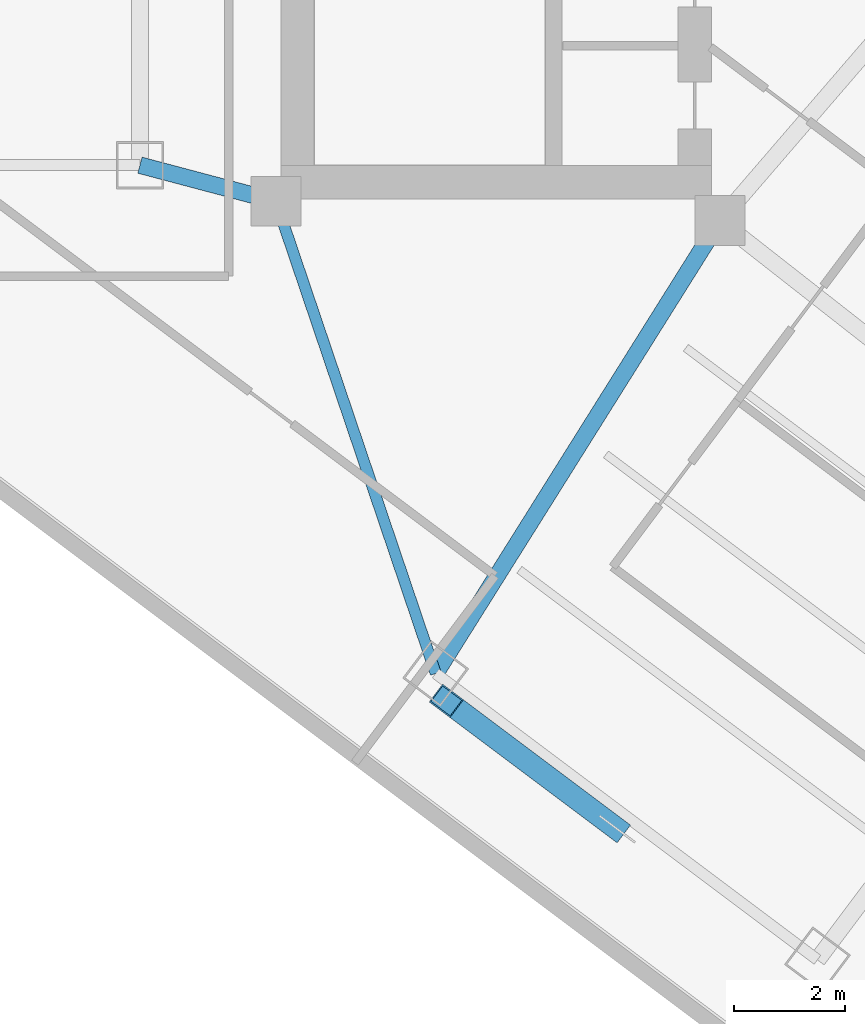
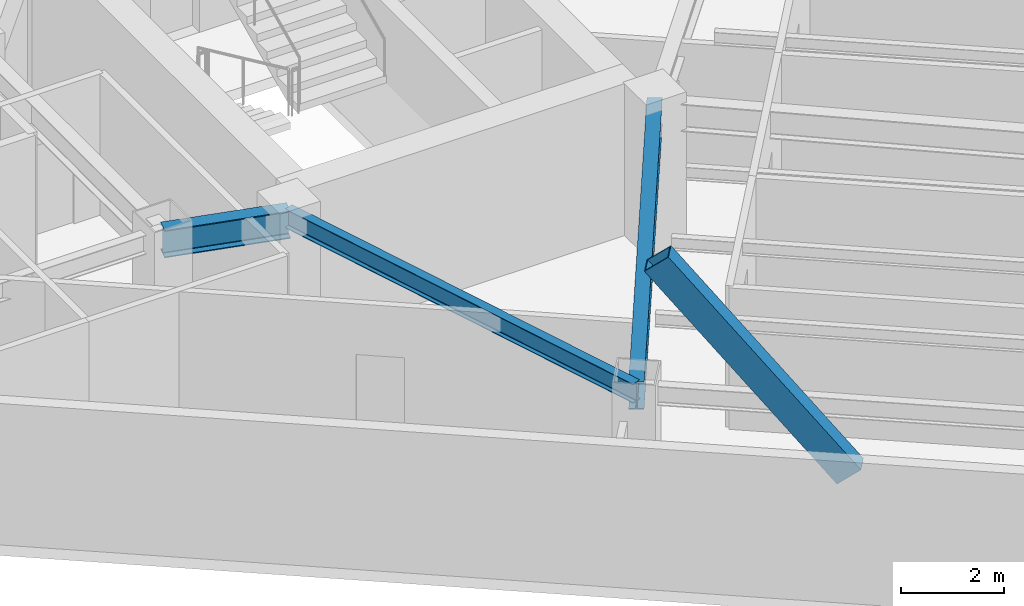
# One storey, part 3 of 29: 3 beams, 1 member.
"""IFC4 building model written with IfcOpenShell, lengths in metres."""

from ifc_helpers import new_model, si_unit, direction, frame, origin, origin_2d, place, context, subcontext, project, spatial, hollow_rectangle, i_section, extrude, material, material_profile, profile_set, type_object, element, save


model = new_model("IFC4")

# Units and contexts
model_context = context("Model", 3, precision=1e-05, world=origin(), true_north=direction((0.0, 1.0)))
body_context = subcontext(model_context, "Body", "Model", "MODEL_VIEW")
ifc_project = project(units=[si_unit("LENGTHUNIT", "METRE"), si_unit("AREAUNIT", "SQUARE_METRE"), si_unit("VOLUMEUNIT", "CUBIC_METRE"), si_unit("PLANEANGLEUNIT", "RADIAN"), si_unit("MASSUNIT", "GRAM", prefix="KILO")], contexts=[model_context])

# Site, building, storey
site_placement = place(None, origin())
site = spatial("IfcSite", under=ifc_project, at=site_placement, CompositionType="ELEMENT")
building_placement = place(site_placement, origin())
building = spatial("IfcBuilding", under=site, at=building_placement, Name="Hatsunagi Terrace Concourse", CompositionType="ELEMENT")
storey_placement = place(building_placement, frame((0.0, 0.0, 149.25)))
storey = spatial("IfcBuildingStorey", under=building, at=storey_placement, Name="L39", CompositionType="ELEMENT", Elevation=149.25)

# Beams
ifc_material_1 = material(Name="Steel SN490B", Category="steel")
ifc_material_profile_1 = material_profile(ifc_material_1, i_section(OverallWidth=0.300048828125, OverallDepth=0.64990234375, WebThickness=0.012939453125, FlangeThickness=0.02197265625, FilletRadius=0.01806640625, at=origin_2d()), Name="H-650x300x13x22")
ifc_profile_set_1 = profile_set([ifc_material_profile_1], Name="Steel SN490B")
beam_type_1 = type_object("IfcBeamType", Name="OfficeLowGirder_H_650x300", PredefinedType="BEAM", material=ifc_profile_set_1)
beam_1_placement = place(storey_placement, frame((33.35009765625, 25.199951171875, 3.02490234375), z_axis=(0.966569840116, -0.256403479262, 0.0), x_axis=(0.256403479262, 0.966569840116, 0.0)))
element("IfcBeam", 1, at=beam_1_placement, inside=storey, type_object=beam_type_1, Name="Beam G-05 BM-L39-K2CB", PredefinedType="BEAM", context=body_context, shape_type="SweptSolid", body=[
    extrude(i_section(OverallWidth=0.300048828125, OverallDepth=0.64990234375, WebThickness=0.012939453125, FlangeThickness=0.02197265625, FilletRadius=0.01806640625, at=origin_2d()), origin(), (0.0, 0.0, 1.0), 2.53466796875),
])
beam_2_placement = place(storey_placement, frame((38.679931640625, 16.0400390625, 3.02490234375), z_axis=(0.531503907049, 0.847055840421, 0.0), x_axis=(-0.847055840421, 0.531503907049, 0.0)))
element("IfcBeam", 2, at=beam_2_placement, inside=storey, type_object=beam_type_1, Name="Beam G-05 BM-L39-SET-1A", PredefinedType="BEAM", context=body_context, shape_type="SweptSolid", body=[
    extrude(i_section(OverallWidth=0.300048828125, OverallDepth=0.64990234375, WebThickness=0.012939453125, FlangeThickness=0.02197265625, FilletRadius=0.01806640625, at=origin_2d()), origin(), (0.0, 0.0, 1.0), 9.63330078125),
])
ifc_material_2 = material(Name="Steel SN490B", Category="steel")
ifc_material_profile_2 = material_profile(ifc_material_2, i_section(OverallWidth=0.199951171875, OverallDepth=0.449951171875, WebThickness=0.009033203125, FlangeThickness=0.013916015625, FilletRadius=0.01611328125, at=origin_2d()), Name="H-450x200x9x14")
ifc_profile_set_2 = profile_set([ifc_material_profile_2], Name="Steel SN490B")
beam_type_2 = type_object("IfcBeamType", Name="PerimeterSpandrel_H_450x200", PredefinedType="SPANDREL", material=ifc_profile_set_2)
beam_3_placement = place(storey_placement, frame((35.800048828125, 24.550048828125, 3.125), z_axis=(0.320553412271, -0.947230441805, 0.0), x_axis=(0.947230441805, 0.320553412271, 0.0)))
element("IfcBeam", 3, at=beam_3_placement, inside=storey, type_object=beam_type_2, Name="Beam SP-02 BM-L39-SE-SW0", PredefinedType="SPANDREL", context=body_context, shape_type="SweptSolid", body=[
    extrude(i_section(OverallWidth=0.199951171875, OverallDepth=0.449951171875, WebThickness=0.009033203125, FlangeThickness=0.013916015625, FilletRadius=0.01611328125, at=origin_2d()), origin(), (0.0, 0.0, 1.0), 8.984130859375),
])

# Member
ifc_material_3 = material(Name="Steel SN490B", Category="steel")
ifc_material_profile_3 = material_profile(ifc_material_3, hollow_rectangle(XDim=0.39990234375, YDim=0.60009765625, WallThickness=0.02490234375, at=origin_2d()), Name="RHS-600x400x25")
ifc_profile_set_3 = profile_set([ifc_material_profile_3], Name="Steel SN490B")
member_type = type_object("IfcMemberType", Name="PerimeterXBrace_Mid_RHS_600x400x25", PredefinedType="BRACE", material=ifc_profile_set_3)
member_placement = place(storey_placement, frame((38.8720703125, 15.5458984375, 6.510009765625), z_axis=(0.498326701043, -0.373795549619, -0.782270660394), x_axis=(0.600051906341, 0.799961067613, 0.0)))
element("IfcMember", 4, at=member_placement, inside=storey, type_object=member_type, Name="Perimeter X-Brace Split Upper XB-02 XB-L38-SEB1", PredefinedType="BRACE", context=body_context, shape_type="SweptSolid", body=[
    extrude(hollow_rectangle(XDim=0.39990234375, YDim=0.60009765625, WallThickness=0.02490234375, at=origin_2d()), origin(), (0.0, 0.0, 1.0), 6.040283203125),
])

save(model, "model.ifc")
